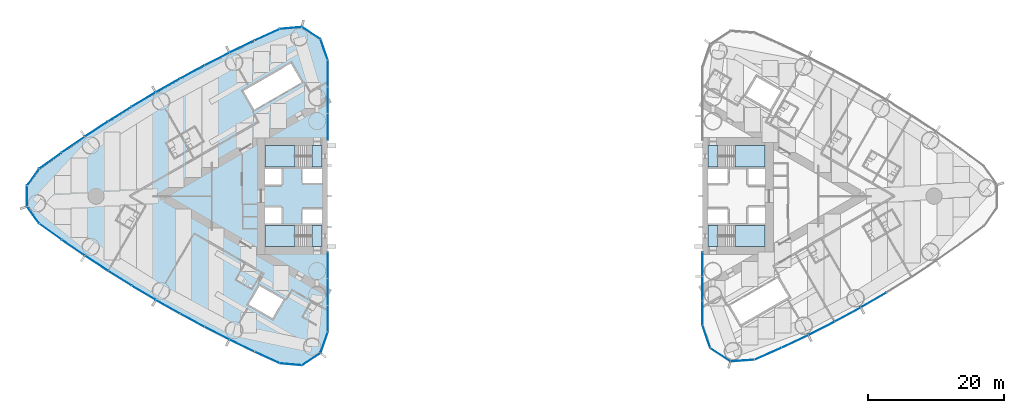
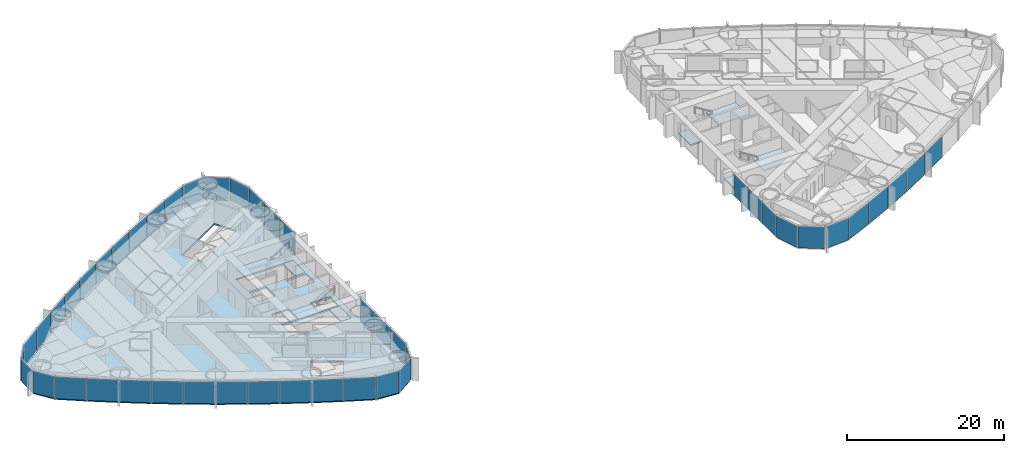
# One storey, part 9 of 18: 46 plates, 9 slabs, 6 elements without a shape of their own.
"""IFC4 building model written with IfcOpenShell, lengths in metres."""

from ifc_helpers import new_model, si_unit, direction, frame, origin, origin_2d, place, context, subcontext, project, spatial, polyline, rectangle, outline, extrude, material, layer, layer_set, type_object, element, aggregate, save


model = new_model("IFC4")

# Units and contexts
model_context = context("Model", 3, precision=1e-05, world=origin(), true_north=direction((0.0, 1.0)))
body_context = subcontext(model_context, "Body", "Model", "MODEL_VIEW")
ifc_project = project(units=[si_unit("LENGTHUNIT", "METRE"), si_unit("AREAUNIT", "SQUARE_METRE"), si_unit("VOLUMEUNIT", "CUBIC_METRE"), si_unit("PLANEANGLEUNIT", "RADIAN"), si_unit("MASSUNIT", "GRAM", prefix="KILO")], contexts=[model_context])

# Site, building, storey
site_placement = place(None, origin())
site = spatial("IfcSite", under=ifc_project, at=site_placement, CompositionType="ELEMENT")
building_placement = place(site_placement, origin())
building = spatial("IfcBuilding", under=site, at=building_placement, Name="Lancet Gate Hotel", CompositionType="ELEMENT")
storey_placement = place(building_placement, frame((0.0, 0.0, 115.10009765625)))
storey = spatial("IfcBuildingStorey", under=building, at=storey_placement, Name="L30", CompositionType="ELEMENT", Elevation=115.10009765625)

# Slab
ifc_material_1 = material(Name="Concrete C50/60", Category="concrete")
ifc_layer_1 = layer(ifc_material_1, 0.25)
ifc_layer_set_1 = layer_set([ifc_layer_1], Name="Floor slab 250")
slab_type_1 = type_object("IfcSlabType", Name="Floor slab 250", PredefinedType="FLOOR", material=ifc_layer_set_1)
slab_1_placement = place(storey_placement, frame((0.0, 0.0, -0.25)))
element("IfcSlab", 1, at=slab_1_placement, inside=storey, type_object=slab_type_1, Name="T1 L30 floor slab", PredefinedType="FLOOR", context=body_context, shape_type="SweptSolid", body=[
    extrude(outline(polyline([(-27.5, 8.60009765625), (-27.6201171875, 8.60009765625), (-27.6201171875, 19.950927734375), (-28.65966796875, 22.970947265625), (-31.320068359375, 24.69921875), (-34.5009765625, 24.421630859375), (-38.201416015625, 22.727783203125), (-41.8818359375, 20.946044921875), (-45.523193359375, 19.085693359375), (-49.12353515625, 17.147216796875), (-52.681396484375, 15.131591796875), (-56.195068359375, 13.0400390625), (-59.662841796875, 10.873291015625), (-63.0830078125, 8.63232421875), (-66.454345703125, 6.318115234375), (-69.76025390625, 3.94287109375), (-71.523193359375, 1.49755859375), (-71.523193359375, -1.49755859375), (-69.76025390625, -3.94287109375), (-66.454345703125, -6.318115234375), (-63.0830078125, -8.63232421875), (-59.662841796875, -10.873291015625), (-56.195068359375, -13.0400390625), (-52.681396484375, -15.131591796875), (-49.12353515625, -17.147216796875), (-45.523193359375, -19.085693359375), (-41.8818359375, -20.946044921875), (-38.201416015625, -22.727783203125), (-34.5009765625, -24.421630859375), (-31.320068359375, -24.69921875), (-28.65966796875, -22.970947265625), (-27.6201171875, -19.950927734375), (-27.6201171875, -8.60009765625), (-27.5, -8.60009765625), (-27.5, -8.199951171875), (-27.5, 8.199951171875), (-27.5, 8.60009765625)]), holes=[polyline([(-36.699951171875, 7.39990234375), (-36.699951171875, 4.300048828125), (-28.300048828125, 4.300048828125), (-28.300048828125, 7.39990234375), (-36.699951171875, 7.39990234375)]), polyline([(-28.300048828125, 4.0), (-31.199951171875, 4.0), (-31.199951171875, 1.89990234375), (-28.300048828125, 1.89990234375), (-28.300048828125, 4.0)]), polyline([(-34.25, 4.0), (-36.699951171875, 4.0), (-36.699951171875, 1.64990234375), (-34.25, 1.64990234375), (-34.25, 4.0)]), polyline([(-36.699951171875, -1.64990234375), (-36.699951171875, -4.0), (-34.25, -4.0), (-34.25, -1.64990234375), (-36.699951171875, -1.64990234375)]), polyline([(-28.300048828125, -1.89990234375), (-31.199951171875, -1.89990234375), (-31.199951171875, -4.0), (-28.300048828125, -4.0), (-28.300048828125, -1.89990234375)]), polyline([(-28.300048828125, -4.300048828125), (-36.699951171875, -4.300048828125), (-36.699951171875, -7.39990234375), (-28.300048828125, -7.39990234375), (-28.300048828125, -4.300048828125)]), polyline([(-31.2900390625, 16.73095703125), (-32.889892578125, 19.501953125), (-39.904052734375, 15.451904296875), (-38.303955078125, 12.680908203125), (-31.2900390625, 16.73095703125)]), polyline([(-33.97412109375, -15.180908203125), (-37.52490234375, -13.131103515625), (-39.125, -15.902099609375), (-35.573974609375, -17.951904296875), (-33.97412109375, -15.180908203125)])]), origin(), (0.0, 0.0, 1.0), 0.25),
])

# Stair, slabs
ifc_material_2 = material(Name="Exit stair 20 risers 1500")
stair_type = type_object("IfcStairType", Name="Exit stair 20 risers 1500", PredefinedType="HALF_TURN_STAIR", material=ifc_material_2)
stair_1_placement = place(storey_placement, origin())
stair_1 = element("IfcStair", 2, at=stair_1_placement, inside=storey, type_object=stair_type, Name="T1 stair 1 L30", PredefinedType="HALF_TURN_STAIR")
ifc_material_3 = material(Name="Concrete C40/50", Category="concrete")
ifc_layer_2 = layer(ifc_material_3, 0.199951171875)
ifc_layer_set_2 = layer_set([ifc_layer_2], Name="Stair landing 200")
slab_type_2 = type_object("IfcSlabType", Name="Stair landing 200", PredefinedType="LANDING", material=ifc_layer_set_2)
slab_2_placement = place(storey_placement, frame((0.0, 0.0, -0.2001953125)))
slab_2 = element("IfcSlab", 3, at=slab_2_placement, type_object=slab_type_2, Name="ST1 landing 1", PredefinedType="LANDING", context=body_context, shape_type="SweptSolid", body=[
    extrude(outline(polyline([(-28.300048828125, 7.39990234375), (-29.800048828125, 7.39990234375), (-29.800048828125, 4.300048828125), (-28.300048828125, 4.300048828125), (-28.300048828125, 7.39990234375)])), origin(), (0.0, 0.0, 1.0), 0.2001953125),
])
slab_3_placement = place(storey_placement, frame((0.0, 0.0, 1.5498046875)))
slab_3 = element("IfcSlab", 4, at=slab_3_placement, type_object=slab_type_2, Name="ST1 landing 2", PredefinedType="LANDING", context=body_context, shape_type="SweptSolid", body=[
    extrude(outline(polyline([(-32.320068359375, 7.39990234375), (-36.699951171875, 7.39990234375), (-36.699951171875, 4.300048828125), (-32.320068359375, 4.300048828125), (-32.320068359375, 7.39990234375)])), origin(), (0.0, 0.0, 1.0), 0.2001953125),
])
aggregate(stair_1, [slab_2, slab_3])

stair_2_placement = place(storey_placement, origin())
stair_2 = element("IfcStair", 5, at=stair_2_placement, inside=storey, type_object=stair_type, Name="T1 stair 2 L30", PredefinedType="HALF_TURN_STAIR")
slab_4_placement = place(storey_placement, frame((0.0, 0.0, -0.2001953125)))
slab_4 = element("IfcSlab", 6, at=slab_4_placement, type_object=slab_type_2, Name="ST2 landing 1", PredefinedType="LANDING", context=body_context, shape_type="SweptSolid", body=[
    extrude(outline(polyline([(-28.300048828125, -4.300048828125), (-29.800048828125, -4.300048828125), (-29.800048828125, -7.39990234375), (-28.300048828125, -7.39990234375), (-28.300048828125, -4.300048828125)])), origin(), (0.0, 0.0, 1.0), 0.2001953125),
])
slab_5_placement = place(storey_placement, frame((0.0, 0.0, 1.5498046875)))
slab_5 = element("IfcSlab", 7, at=slab_5_placement, type_object=slab_type_2, Name="ST2 landing 2", PredefinedType="LANDING", context=body_context, shape_type="SweptSolid", body=[
    extrude(outline(polyline([(-32.320068359375, -4.300048828125), (-36.699951171875, -4.300048828125), (-36.699951171875, -7.39990234375), (-32.320068359375, -7.39990234375), (-32.320068359375, -4.300048828125)])), origin(), (0.0, 0.0, 1.0), 0.2001953125),
])
aggregate(stair_2, [slab_4, slab_5])

stair_3_placement = place(storey_placement, origin())
stair_3 = element("IfcStair", 8, at=stair_3_placement, inside=storey, type_object=stair_type, Name="T2 stair 1 L30", PredefinedType="HALF_TURN_STAIR")
slab_6_placement = place(storey_placement, frame((0.0, 0.0, -0.2001953125)))
slab_6 = element("IfcSlab", 9, at=slab_6_placement, type_object=slab_type_2, Name="ST3 landing 1", PredefinedType="LANDING", context=body_context, shape_type="SweptSolid", body=[
    extrude(outline(polyline([(28.300048828125, -7.39990234375), (29.800048828125, -7.39990234375), (29.800048828125, -4.300048828125), (28.300048828125, -4.300048828125), (28.300048828125, -7.39990234375)])), origin(), (0.0, 0.0, 1.0), 0.2001953125),
])
slab_7_placement = place(storey_placement, frame((0.0, 0.0, 1.5498046875)))
slab_7 = element("IfcSlab", 10, at=slab_7_placement, type_object=slab_type_2, Name="ST3 landing 2", PredefinedType="LANDING", context=body_context, shape_type="SweptSolid", body=[
    extrude(outline(polyline([(32.320068359375, -7.39990234375), (36.699951171875, -7.39990234375), (36.699951171875, -4.300048828125), (32.320068359375, -4.300048828125), (32.320068359375, -7.39990234375)])), origin(), (0.0, 0.0, 1.0), 0.2001953125),
])
aggregate(stair_3, [slab_6, slab_7])

stair_4_placement = place(storey_placement, origin())
stair_4 = element("IfcStair", 11, at=stair_4_placement, inside=storey, type_object=stair_type, Name="T2 stair 2 L30", PredefinedType="HALF_TURN_STAIR")
slab_8_placement = place(storey_placement, frame((0.0, 0.0, -0.2001953125)))
slab_8 = element("IfcSlab", 12, at=slab_8_placement, type_object=slab_type_2, Name="ST4 landing 1", PredefinedType="LANDING", context=body_context, shape_type="SweptSolid", body=[
    extrude(outline(polyline([(28.300048828125, 4.300048828125), (29.800048828125, 4.300048828125), (29.800048828125, 7.39990234375), (28.300048828125, 7.39990234375), (28.300048828125, 4.300048828125)])), origin(), (0.0, 0.0, 1.0), 0.2001953125),
])
slab_9_placement = place(storey_placement, frame((0.0, 0.0, 1.5498046875)))
slab_9 = element("IfcSlab", 13, at=slab_9_placement, type_object=slab_type_2, Name="ST4 landing 2", PredefinedType="LANDING", context=body_context, shape_type="SweptSolid", body=[
    extrude(outline(polyline([(32.320068359375, 4.300048828125), (36.699951171875, 4.300048828125), (36.699951171875, 7.39990234375), (32.320068359375, 7.39990234375), (32.320068359375, 4.300048828125)])), origin(), (0.0, 0.0, 1.0), 0.2001953125),
])
aggregate(stair_4, [slab_8, slab_9])

# Curtain wall, plates
ifc_material_4 = material(Name="Aluminium curtain wall", Category="aluminium")
curtain_wall_type = type_object("IfcCurtainWallType", Name="Tower unitised curtain wall", PredefinedType="USERDEFINED", material=ifc_material_4)
curtain_wall_1_placement = place(storey_placement, origin())
curtain_wall_1 = element("IfcCurtainWall", 14, at=curtain_wall_1_placement, inside=storey, type_object=curtain_wall_type, Name="T1 L30 curtain wall 1", ObjectType="UNITISED CURTAIN WALL", PredefinedType="USERDEFINED")
ifc_material_5 = material(Name="Glass double glazed unit 8-16-6", Category="glass")
ifc_layer_3 = layer(ifc_material_5, 0.030029296875)
ifc_layer_set_3 = layer_set([ifc_layer_3], Name="Vision panel double glazed")
plate_type = type_object("IfcPlateType", Name="Vision panel double glazed", PredefinedType="CURTAIN_PANEL", material=ifc_layer_set_3)
plate_1_placement = place(storey_placement, frame((-27.5, 10.161865234375, -0.000244140625), z_axis=(0.0, 0.0, 1.0), x_axis=(0.0, 1.0, 0.0)))
plate_1 = element("IfcPlate", 15, at=plate_1_placement, type_object=plate_type, Name="T1 L30 curtain wall 1 panel 1", PredefinedType="CURTAIN_PANEL", context=body_context, shape_type="SweptSolid", body=[
    extrude(rectangle(XDim=3.858642578125, YDim=0.030029296875, at=origin_2d()), origin(), (0.0, 0.0, 1.0), 3.35009765625),
])
plate_2_placement = place(storey_placement, frame((-27.5, 14.08544921875, -0.000244140625), z_axis=(0.0, 0.0, 1.0), x_axis=(0.0, 1.0, 0.0)))
plate_2 = element("IfcPlate", 16, at=plate_2_placement, type_object=plate_type, Name="T1 L30 curtain wall 1 panel 2", PredefinedType="CURTAIN_PANEL", context=body_context, shape_type="SweptSolid", body=[
    extrude(rectangle(XDim=3.858642578125, YDim=0.030029296875, at=origin_2d()), origin(), (0.0, 0.0, 1.0), 3.35009765625),
])
plate_3_placement = place(storey_placement, frame((-27.5, 18.00927734375, -0.000244140625), z_axis=(0.0, 0.0, 1.0), x_axis=(0.0, 1.0, 0.0)))
plate_3 = element("IfcPlate", 17, at=plate_3_placement, type_object=plate_type, Name="T1 L30 curtain wall 1 panel 3", PredefinedType="CURTAIN_PANEL", context=body_context, shape_type="SweptSolid", body=[
    extrude(rectangle(XDim=3.858642578125, YDim=0.030029296875, at=origin_2d()), origin(), (0.0, 0.0, 1.0), 3.35009765625),
])
plate_4_placement = place(storey_placement, frame((-28.02978515625, 21.510009765625, -0.000244140625), z_axis=(0.0, 0.0, 1.0), x_axis=(-0.325515820766, 0.945536593914, 0.0)))
plate_4 = element("IfcPlate", 18, at=plate_4_placement, type_object=plate_type, Name="T1 L30 curtain wall 1 panel 4", PredefinedType="CURTAIN_PANEL", context=body_context, shape_type="SweptSolid", body=[
    extrude(rectangle(XDim=3.190185546875, YDim=0.030029296875, at=origin_2d()), origin(), (0.0, 0.0, 1.0), 3.35009765625),
])
plate_5_placement = place(storey_placement, frame((-29.924560546875, 23.935546875, -0.000244140625), z_axis=(0.0, 0.0, 1.0), x_axis=(-0.838580121261, 0.544778285385, 0.0)))
plate_5 = element("IfcPlate", 19, at=plate_5_placement, type_object=plate_type, Name="T1 L30 curtain wall 1 panel 5", PredefinedType="CURTAIN_PANEL", context=body_context, shape_type="SweptSolid", body=[
    extrude(rectangle(XDim=3.190185546875, YDim=0.030029296875, at=origin_2d()), origin(), (0.0, 0.0, 1.0), 3.35009765625),
])
plate_6_placement = place(storey_placement, frame((-32.91064453125, 24.680908203125, -0.000244140625), z_axis=(0.0, 0.0, 1.0), x_axis=(-0.996218779711, -0.086880049207, 0.0)))
plate_6 = element("IfcPlate", 20, at=plate_6_placement, type_object=plate_type, Name="T1 L30 curtain wall 1 panel 6", PredefinedType="CURTAIN_PANEL", context=body_context, shape_type="SweptSolid", body=[
    extrude(rectangle(XDim=3.190185546875, YDim=0.030029296875, at=origin_2d()), origin(), (0.0, 0.0, 1.0), 3.35009765625),
])
plate_7_placement = place(storey_placement, frame((-36.392333984375, 23.68798828125, -0.000244140625), z_axis=(0.0, 0.0, 1.0), x_axis=(-0.909252721243, -0.416244506166, 0.0)))
plate_7 = element("IfcPlate", 21, at=plate_7_placement, type_object=plate_type, Name="T1 L30 curtain wall 1 panel 7", PredefinedType="CURTAIN_PANEL", context=body_context, shape_type="SweptSolid", body=[
    extrude(rectangle(XDim=4.026611328125, YDim=0.030029296875, at=origin_2d()), origin(), (0.0, 0.0, 1.0), 3.35009765625),
])
plate_8_placement = place(storey_placement, frame((-40.093994140625, 21.945068359375, -0.000244140625), z_axis=(0.0, 0.0, 1.0), x_axis=(-0.900081672047, -0.435721222395, 0.0)))
plate_8 = element("IfcPlate", 22, at=plate_8_placement, type_object=plate_type, Name="T1 L30 curtain wall 1 panel 8", PredefinedType="CURTAIN_PANEL", context=body_context, shape_type="SweptSolid", body=[
    extrude(rectangle(XDim=4.026611328125, YDim=0.030029296875, at=origin_2d()), origin(), (0.0, 0.0, 1.0), 3.35009765625),
])
plate_9_placement = place(storey_placement, frame((-43.757080078125, 20.122802734375, -0.000244140625), z_axis=(0.0, 0.0, 1.0), x_axis=(-0.890493479451, -0.45499600334, 0.0)))
plate_9 = element("IfcPlate", 23, at=plate_9_placement, type_object=plate_type, Name="T1 L30 curtain wall 1 panel 9", PredefinedType="CURTAIN_PANEL", context=body_context, shape_type="SweptSolid", body=[
    extrude(rectangle(XDim=4.026611328125, YDim=0.030029296875, at=origin_2d()), origin(), (0.0, 0.0, 1.0), 3.35009765625),
])
plate_10_placement = place(storey_placement, frame((-47.380126953125, 18.221923828125, -0.000244140625), z_axis=(0.0, 0.0, 1.0), x_axis=(-0.880492587094, -0.474059916121, 0.0)))
plate_10 = element("IfcPlate", 24, at=plate_10_placement, type_object=plate_type, Name="T1 L30 curtain wall 1 panel 10", PredefinedType="CURTAIN_PANEL", context=body_context, shape_type="SweptSolid", body=[
    extrude(rectangle(XDim=4.026611328125, YDim=0.030029296875, at=origin_2d()), origin(), (0.0, 0.0, 1.0), 3.35009765625),
])
plate_11_placement = place(storey_placement, frame((-50.961669921875, 16.243896484375, -0.000244140625), z_axis=(0.0, 0.0, 1.0), x_axis=(-0.870083629903, -0.49290412554, 0.0)))
plate_11 = element("IfcPlate", 25, at=plate_11_placement, type_object=plate_type, Name="T1 L30 curtain wall 1 panel 11", PredefinedType="CURTAIN_PANEL", context=body_context, shape_type="SweptSolid", body=[
    extrude(rectangle(XDim=4.026611328125, YDim=0.030029296875, at=origin_2d()), origin(), (0.0, 0.0, 1.0), 3.35009765625),
])
plate_12_placement = place(storey_placement, frame((-54.49951171875, 14.18896484375, -0.000244140625), z_axis=(0.0, 0.0, 1.0), x_axis=(-0.859271431916, -0.511519898238, 0.0)))
plate_12 = element("IfcPlate", 26, at=plate_12_placement, type_object=plate_type, Name="T1 L30 curtain wall 1 panel 12", PredefinedType="CURTAIN_PANEL", context=body_context, shape_type="SweptSolid", body=[
    extrude(rectangle(XDim=4.026611328125, YDim=0.030029296875, at=origin_2d()), origin(), (0.0, 0.0, 1.0), 3.35009765625),
])
plate_13_placement = place(storey_placement, frame((-57.992431640625, 12.058349609375, -0.000244140625), z_axis=(0.0, 0.0, 1.0), x_axis=(-0.848061004052, -0.529898606722, 0.0)))
plate_13 = element("IfcPlate", 27, at=plate_13_placement, type_object=plate_type, Name="T1 L30 curtain wall 1 panel 13", PredefinedType="CURTAIN_PANEL", context=body_context, shape_type="SweptSolid", body=[
    extrude(rectangle(XDim=4.026611328125, YDim=0.030029296875, at=origin_2d()), origin(), (0.0, 0.0, 1.0), 3.35009765625),
])
plate_14_placement = place(storey_placement, frame((-61.438720703125, 9.85302734375, -0.000244140625), z_axis=(0.0, 0.0, 1.0), x_axis=(-0.836457541791, -0.54803173337, 0.0)))
plate_14 = element("IfcPlate", 28, at=plate_14_placement, type_object=plate_type, Name="T1 L30 curtain wall 1 panel 14", PredefinedType="CURTAIN_PANEL", context=body_context, shape_type="SweptSolid", body=[
    extrude(rectangle(XDim=4.026611328125, YDim=0.030029296875, at=origin_2d()), origin(), (0.0, 0.0, 1.0), 3.35009765625),
])
plate_15_placement = place(storey_placement, frame((-64.836669921875, 7.57421875, -0.000244140625), z_axis=(0.0, 0.0, 1.0), x_axis=(-0.824466422775, -0.565910874357, 0.0)))
plate_15 = element("IfcPlate", 29, at=plate_15_placement, type_object=plate_type, Name="T1 L30 curtain wall 1 panel 15", PredefinedType="CURTAIN_PANEL", context=body_context, shape_type="SweptSolid", body=[
    extrude(rectangle(XDim=4.026611328125, YDim=0.030029296875, at=origin_2d()), origin(), (0.0, 0.0, 1.0), 3.35009765625),
])
plate_16_placement = place(storey_placement, frame((-68.184814453125, 5.22265625, -0.000244140625), z_axis=(0.0, 0.0, 1.0), x_axis=(-0.812093204276, -0.583527743615, 0.0)))
plate_16 = element("IfcPlate", 30, at=plate_16_placement, type_object=plate_type, Name="T1 L30 curtain wall 1 panel 16", PredefinedType="CURTAIN_PANEL", context=body_context, shape_type="SweptSolid", body=[
    extrude(rectangle(XDim=4.026611328125, YDim=0.030029296875, at=origin_2d()), origin(), (0.0, 0.0, 1.0), 3.35009765625),
])
plate_17_placement = place(storey_placement, frame((-70.74462890625, 2.782470703125, -0.000244140625), z_axis=(0.0, 0.0, 1.0), x_axis=(-0.584808645706, -0.811171281486, 0.0)))
plate_17 = element("IfcPlate", 31, at=plate_17_placement, type_object=plate_type, Name="T1 L30 curtain wall 1 panel 17", PredefinedType="CURTAIN_PANEL", context=body_context, shape_type="SweptSolid", body=[
    extrude(rectangle(XDim=3.0078125, YDim=0.030029296875, at=origin_2d()), origin(), (0.0, 0.0, 1.0), 3.35009765625),
])
plate_18_placement = place(storey_placement, frame((-71.64306640625, 0.0, -0.000244140625), z_axis=(0.0, 0.0, 1.0), x_axis=(0.0, -1.0, 0.0)))
plate_18 = element("IfcPlate", 32, at=plate_18_placement, type_object=plate_type, Name="T1 L30 curtain wall 1 panel 18", PredefinedType="CURTAIN_PANEL", context=body_context, shape_type="SweptSolid", body=[
    extrude(rectangle(XDim=3.0078125, YDim=0.030029296875, at=origin_2d()), origin(), (0.0, 0.0, 1.0), 3.35009765625),
])
plate_19_placement = place(storey_placement, frame((-70.74462890625, -2.782470703125, -0.000244140625), z_axis=(0.0, 0.0, 1.0), x_axis=(0.584808645706, -0.811171281486, 0.0)))
plate_19 = element("IfcPlate", 33, at=plate_19_placement, type_object=plate_type, Name="T1 L30 curtain wall 1 panel 19", PredefinedType="CURTAIN_PANEL", context=body_context, shape_type="SweptSolid", body=[
    extrude(rectangle(XDim=3.0078125, YDim=0.030029296875, at=origin_2d()), origin(), (0.0, 0.0, 1.0), 3.35009765625),
])
plate_20_placement = place(storey_placement, frame((-68.184814453125, -5.22265625, -0.000244140625), z_axis=(0.0, 0.0, 1.0), x_axis=(0.812093204276, -0.583527743615, 0.0)))
plate_20 = element("IfcPlate", 34, at=plate_20_placement, type_object=plate_type, Name="T1 L30 curtain wall 1 panel 20", PredefinedType="CURTAIN_PANEL", context=body_context, shape_type="SweptSolid", body=[
    extrude(rectangle(XDim=4.026611328125, YDim=0.030029296875, at=origin_2d()), origin(), (0.0, 0.0, 1.0), 3.35009765625),
])
plate_21_placement = place(storey_placement, frame((-64.836669921875, -7.57421875, -0.000244140625), z_axis=(0.0, 0.0, 1.0), x_axis=(0.824466422775, -0.565910874357, 0.0)))
plate_21 = element("IfcPlate", 35, at=plate_21_placement, type_object=plate_type, Name="T1 L30 curtain wall 1 panel 21", PredefinedType="CURTAIN_PANEL", context=body_context, shape_type="SweptSolid", body=[
    extrude(rectangle(XDim=4.026611328125, YDim=0.030029296875, at=origin_2d()), origin(), (0.0, 0.0, 1.0), 3.35009765625),
])
plate_22_placement = place(storey_placement, frame((-61.438720703125, -9.85302734375, -0.000244140625), z_axis=(0.0, 0.0, 1.0), x_axis=(0.836457541791, -0.54803173337, 0.0)))
plate_22 = element("IfcPlate", 36, at=plate_22_placement, type_object=plate_type, Name="T1 L30 curtain wall 1 panel 22", PredefinedType="CURTAIN_PANEL", context=body_context, shape_type="SweptSolid", body=[
    extrude(rectangle(XDim=4.026611328125, YDim=0.030029296875, at=origin_2d()), origin(), (0.0, 0.0, 1.0), 3.35009765625),
])
plate_23_placement = place(storey_placement, frame((-57.992431640625, -12.058349609375, -0.000244140625), z_axis=(0.0, 0.0, 1.0), x_axis=(0.848061004052, -0.529898606722, 0.0)))
plate_23 = element("IfcPlate", 37, at=plate_23_placement, type_object=plate_type, Name="T1 L30 curtain wall 1 panel 23", PredefinedType="CURTAIN_PANEL", context=body_context, shape_type="SweptSolid", body=[
    extrude(rectangle(XDim=4.026611328125, YDim=0.030029296875, at=origin_2d()), origin(), (0.0, 0.0, 1.0), 3.35009765625),
])
plate_24_placement = place(storey_placement, frame((-54.49951171875, -14.18896484375, -0.000244140625), z_axis=(0.0, 0.0, 1.0), x_axis=(0.859271431916, -0.511519898238, 0.0)))
plate_24 = element("IfcPlate", 38, at=plate_24_placement, type_object=plate_type, Name="T1 L30 curtain wall 1 panel 24", PredefinedType="CURTAIN_PANEL", context=body_context, shape_type="SweptSolid", body=[
    extrude(rectangle(XDim=4.026611328125, YDim=0.030029296875, at=origin_2d()), origin(), (0.0, 0.0, 1.0), 3.35009765625),
])
plate_25_placement = place(storey_placement, frame((-50.961669921875, -16.243896484375, -0.000244140625), z_axis=(0.0, 0.0, 1.0), x_axis=(0.870083629903, -0.49290412554, 0.0)))
plate_25 = element("IfcPlate", 39, at=plate_25_placement, type_object=plate_type, Name="T1 L30 curtain wall 1 panel 25", PredefinedType="CURTAIN_PANEL", context=body_context, shape_type="SweptSolid", body=[
    extrude(rectangle(XDim=4.026611328125, YDim=0.030029296875, at=origin_2d()), origin(), (0.0, 0.0, 1.0), 3.35009765625),
])
plate_26_placement = place(storey_placement, frame((-47.380126953125, -18.221923828125, -0.000244140625), z_axis=(0.0, 0.0, 1.0), x_axis=(0.880492587094, -0.474059916121, 0.0)))
plate_26 = element("IfcPlate", 40, at=plate_26_placement, type_object=plate_type, Name="T1 L30 curtain wall 1 panel 26", PredefinedType="CURTAIN_PANEL", context=body_context, shape_type="SweptSolid", body=[
    extrude(rectangle(XDim=4.026611328125, YDim=0.030029296875, at=origin_2d()), origin(), (0.0, 0.0, 1.0), 3.35009765625),
])
plate_27_placement = place(storey_placement, frame((-43.757080078125, -20.122802734375, -0.000244140625), z_axis=(0.0, 0.0, 1.0), x_axis=(0.890493479451, -0.45499600334, 0.0)))
plate_27 = element("IfcPlate", 41, at=plate_27_placement, type_object=plate_type, Name="T1 L30 curtain wall 1 panel 27", PredefinedType="CURTAIN_PANEL", context=body_context, shape_type="SweptSolid", body=[
    extrude(rectangle(XDim=4.026611328125, YDim=0.030029296875, at=origin_2d()), origin(), (0.0, 0.0, 1.0), 3.35009765625),
])
plate_28_placement = place(storey_placement, frame((-40.093994140625, -21.945068359375, -0.000244140625), z_axis=(0.0, 0.0, 1.0), x_axis=(0.900081672047, -0.435721222395, 0.0)))
plate_28 = element("IfcPlate", 42, at=plate_28_placement, type_object=plate_type, Name="T1 L30 curtain wall 1 panel 28", PredefinedType="CURTAIN_PANEL", context=body_context, shape_type="SweptSolid", body=[
    extrude(rectangle(XDim=4.026611328125, YDim=0.030029296875, at=origin_2d()), origin(), (0.0, 0.0, 1.0), 3.35009765625),
])
plate_29_placement = place(storey_placement, frame((-36.392333984375, -23.68798828125, -0.000244140625), z_axis=(0.0, 0.0, 1.0), x_axis=(0.909252721243, -0.416244506166, 0.0)))
plate_29 = element("IfcPlate", 43, at=plate_29_placement, type_object=plate_type, Name="T1 L30 curtain wall 1 panel 29", PredefinedType="CURTAIN_PANEL", context=body_context, shape_type="SweptSolid", body=[
    extrude(rectangle(XDim=4.026611328125, YDim=0.030029296875, at=origin_2d()), origin(), (0.0, 0.0, 1.0), 3.35009765625),
])
plate_30_placement = place(storey_placement, frame((-32.91064453125, -24.680908203125, -0.000244140625), z_axis=(0.0, 0.0, 1.0), x_axis=(0.996218779711, -0.086880049207, 0.0)))
plate_30 = element("IfcPlate", 44, at=plate_30_placement, type_object=plate_type, Name="T1 L30 curtain wall 1 panel 30", PredefinedType="CURTAIN_PANEL", context=body_context, shape_type="SweptSolid", body=[
    extrude(rectangle(XDim=3.190185546875, YDim=0.030029296875, at=origin_2d()), origin(), (0.0, 0.0, 1.0), 3.35009765625),
])
plate_31_placement = place(storey_placement, frame((-29.924560546875, -23.935546875, -0.000244140625), z_axis=(0.0, 0.0, 1.0), x_axis=(0.838580121261, 0.544778285385, 0.0)))
plate_31 = element("IfcPlate", 45, at=plate_31_placement, type_object=plate_type, Name="T1 L30 curtain wall 1 panel 31", PredefinedType="CURTAIN_PANEL", context=body_context, shape_type="SweptSolid", body=[
    extrude(rectangle(XDim=3.190185546875, YDim=0.030029296875, at=origin_2d()), origin(), (0.0, 0.0, 1.0), 3.35009765625),
])
plate_32_placement = place(storey_placement, frame((-28.02978515625, -21.510009765625, -0.000244140625), z_axis=(0.0, 0.0, 1.0), x_axis=(0.325515820766, 0.945536593914, 0.0)))
plate_32 = element("IfcPlate", 46, at=plate_32_placement, type_object=plate_type, Name="T1 L30 curtain wall 1 panel 32", PredefinedType="CURTAIN_PANEL", context=body_context, shape_type="SweptSolid", body=[
    extrude(rectangle(XDim=3.190185546875, YDim=0.030029296875, at=origin_2d()), origin(), (0.0, 0.0, 1.0), 3.35009765625),
])
plate_33_placement = place(storey_placement, frame((-27.5, -18.00927734375, -0.000244140625), z_axis=(0.0, 0.0, 1.0), x_axis=(0.0, 1.0, 0.0)))
plate_33 = element("IfcPlate", 47, at=plate_33_placement, type_object=plate_type, Name="T1 L30 curtain wall 1 panel 33", PredefinedType="CURTAIN_PANEL", context=body_context, shape_type="SweptSolid", body=[
    extrude(rectangle(XDim=3.858642578125, YDim=0.030029296875, at=origin_2d()), origin(), (0.0, 0.0, 1.0), 3.35009765625),
])
plate_34_placement = place(storey_placement, frame((-27.5, -14.08544921875, -0.000244140625), z_axis=(0.0, 0.0, 1.0), x_axis=(0.0, 1.0, 0.0)))
plate_34 = element("IfcPlate", 48, at=plate_34_placement, type_object=plate_type, Name="T1 L30 curtain wall 1 panel 34", PredefinedType="CURTAIN_PANEL", context=body_context, shape_type="SweptSolid", body=[
    extrude(rectangle(XDim=3.858642578125, YDim=0.030029296875, at=origin_2d()), origin(), (0.0, 0.0, 1.0), 3.35009765625),
])
plate_35_placement = place(storey_placement, frame((-27.5, -10.161865234375, -0.000244140625), z_axis=(0.0, 0.0, 1.0), x_axis=(0.0, 1.0, 0.0)))
plate_35 = element("IfcPlate", 49, at=plate_35_placement, type_object=plate_type, Name="T1 L30 curtain wall 1 panel 35", PredefinedType="CURTAIN_PANEL", context=body_context, shape_type="SweptSolid", body=[
    extrude(rectangle(XDim=3.858642578125, YDim=0.030029296875, at=origin_2d()), origin(), (0.0, 0.0, 1.0), 3.35009765625),
])
aggregate(curtain_wall_1, [plate_1, plate_2, plate_3, plate_4, plate_5, plate_6, plate_7, plate_8, plate_9, plate_10, plate_11, plate_12, plate_13, plate_14, plate_15, plate_16, plate_17, plate_18, plate_19, plate_20, plate_21, plate_22, plate_23, plate_24, plate_25, plate_26, plate_27, plate_28, plate_29, plate_30, plate_31, plate_32, plate_33, plate_34, plate_35])

curtain_wall_2_placement = place(storey_placement, origin())
curtain_wall_2 = element("IfcCurtainWall", 50, at=curtain_wall_2_placement, inside=storey, type_object=curtain_wall_type, Name="T2 L30 curtain wall 1", ObjectType="UNITISED CURTAIN WALL", PredefinedType="USERDEFINED")
plate_36_placement = place(storey_placement, frame((27.5, -9.990478515625, -0.000244140625), z_axis=(0.0, 0.0, 1.0), x_axis=(0.0, -1.0, 0.0)))
plate_36 = element("IfcPlate", 51, at=plate_36_placement, type_object=plate_type, Name="T2 L30 curtain wall 1 panel 1", PredefinedType="CURTAIN_PANEL", context=body_context, shape_type="SweptSolid", body=[
    extrude(rectangle(XDim=3.515869140625, YDim=0.030029296875, at=origin_2d()), origin(), (0.0, 0.0, 1.0), 3.35009765625),
])
plate_37_placement = place(storey_placement, frame((27.5, -13.571533203125, -0.000244140625), z_axis=(0.0, 0.0, 1.0), x_axis=(0.0, -1.0, 0.0)))
plate_37 = element("IfcPlate", 52, at=plate_37_placement, type_object=plate_type, Name="T2 L30 curtain wall 1 panel 2", PredefinedType="CURTAIN_PANEL", context=body_context, shape_type="SweptSolid", body=[
    extrude(rectangle(XDim=3.515869140625, YDim=0.030029296875, at=origin_2d()), origin(), (0.0, 0.0, 1.0), 3.35009765625),
])
plate_38_placement = place(storey_placement, frame((27.5, -17.15234375, -0.000244140625), z_axis=(0.0, 0.0, 1.0), x_axis=(0.0, -1.0, 0.0)))
plate_38 = element("IfcPlate", 53, at=plate_38_placement, type_object=plate_type, Name="T2 L30 curtain wall 1 panel 3", PredefinedType="CURTAIN_PANEL", context=body_context, shape_type="SweptSolid", body=[
    extrude(rectangle(XDim=3.515869140625, YDim=0.030029296875, at=origin_2d()), origin(), (0.0, 0.0, 1.0), 3.35009765625),
])
plate_39_placement = place(storey_placement, frame((28.072265625, -20.622314453125, -0.000244140625), z_axis=(0.0, 0.0, 1.0), x_axis=(0.32257568891, -0.946543673015, 0.0)))
plate_39 = element("IfcPlate", 54, at=plate_39_placement, type_object=plate_type, Name="T2 L30 curtain wall 1 panel 4", PredefinedType="CURTAIN_PANEL", context=body_context, shape_type="SweptSolid", body=[
    extrude(rectangle(XDim=3.4833984375, YDim=0.030029296875, at=origin_2d()), origin(), (0.0, 0.0, 1.0), 3.35009765625),
])
plate_40_placement = place(storey_placement, frame((30.123291015625, -23.281982421875, -0.000244140625), z_axis=(0.0, 0.0, 1.0), x_axis=(0.833464516611, -0.552572981198, 0.0)))
plate_40 = element("IfcPlate", 55, at=plate_40_placement, type_object=plate_type, Name="T2 L30 curtain wall 1 panel 5", PredefinedType="CURTAIN_PANEL", context=body_context, shape_type="SweptSolid", body=[
    extrude(rectangle(XDim=3.4833984375, YDim=0.030029296875, at=origin_2d()), origin(), (0.0, 0.0, 1.0), 3.35009765625),
])
plate_41_placement = place(storey_placement, frame((33.37158203125, -24.1357421875, -0.000244140625), z_axis=(0.0, 0.0, 1.0), x_axis=(0.997448492935, 0.07138980278, 0.0)))
plate_41 = element("IfcPlate", 56, at=plate_41_placement, type_object=plate_type, Name="T2 L30 curtain wall 1 panel 6", PredefinedType="CURTAIN_PANEL", context=body_context, shape_type="SweptSolid", body=[
    extrude(rectangle(XDim=3.4833984375, YDim=0.030029296875, at=origin_2d()), origin(), (0.0, 0.0, 1.0), 3.35009765625),
])
plate_42_placement = place(storey_placement, frame((37.13134765625, -23.13427734375, -0.000244140625), z_axis=(0.0, 0.0, 1.0), x_axis=(0.915478658759, 0.40236653111, 0.0)))
plate_42 = element("IfcPlate", 57, at=plate_42_placement, type_object=plate_type, Name="T2 L30 curtain wall 1 panel 7", PredefinedType="CURTAIN_PANEL", context=body_context, shape_type="SweptSolid", body=[
    extrude(rectangle(XDim=4.2822265625, YDim=0.030029296875, at=origin_2d()), origin(), (0.0, 0.0, 1.0), 3.35009765625),
])
plate_43_placement = place(storey_placement, frame((41.08544921875, -21.3291015625, -0.000244140625), z_axis=(0.0, 0.0, 1.0), x_axis=(0.903683440096, 0.428201167789, 0.0)))
plate_43 = element("IfcPlate", 58, at=plate_43_placement, type_object=plate_type, Name="T2 L30 curtain wall 1 panel 8", PredefinedType="CURTAIN_PANEL", context=body_context, shape_type="SweptSolid", body=[
    extrude(rectangle(XDim=4.2822265625, YDim=0.030029296875, at=origin_2d()), origin(), (0.0, 0.0, 1.0), 3.35009765625),
])
plate_44_placement = place(storey_placement, frame((44.98681640625, -19.412109375, -0.000244140625), z_axis=(0.0, 0.0, 1.0), x_axis=(0.891159350462, 0.453690436403, 0.0)))
plate_44 = element("IfcPlate", 59, at=plate_44_placement, type_object=plate_type, Name="T2 L30 curtain wall 1 panel 9", PredefinedType="CURTAIN_PANEL", context=body_context, shape_type="SweptSolid", body=[
    extrude(rectangle(XDim=4.2822265625, YDim=0.030029296875, at=origin_2d()), origin(), (0.0, 0.0, 1.0), 3.35009765625),
])
plate_45_placement = place(storey_placement, frame((48.832275390625, -17.38525390625, -0.000244140625), z_axis=(0.0, 0.0, 1.0), x_axis=(0.877916491224, 0.478813778454, 0.0)))
plate_45 = element("IfcPlate", 60, at=plate_45_placement, type_object=plate_type, Name="T2 L30 curtain wall 1 panel 10", PredefinedType="CURTAIN_PANEL", context=body_context, shape_type="SweptSolid", body=[
    extrude(rectangle(XDim=4.2822265625, YDim=0.030029296875, at=origin_2d()), origin(), (0.0, 0.0, 1.0), 3.35009765625),
])
plate_46_placement = place(storey_placement, frame((52.618408203125, -15.249755859375, -0.000244140625), z_axis=(0.0, 0.0, 1.0), x_axis=(0.863965543499, 0.503550930538, 0.0)))
plate_46 = element("IfcPlate", 61, at=plate_46_placement, type_object=plate_type, Name="T2 L30 curtain wall 1 panel 11", PredefinedType="CURTAIN_PANEL", context=body_context, shape_type="SweptSolid", body=[
    extrude(rectangle(XDim=4.2822265625, YDim=0.030029296875, at=origin_2d()), origin(), (0.0, 0.0, 1.0), 3.35009765625),
])
aggregate(curtain_wall_2, [plate_36, plate_37, plate_38, plate_39, plate_40, plate_41, plate_42, plate_43, plate_44, plate_45, plate_46])

save(model, "model.ifc")
